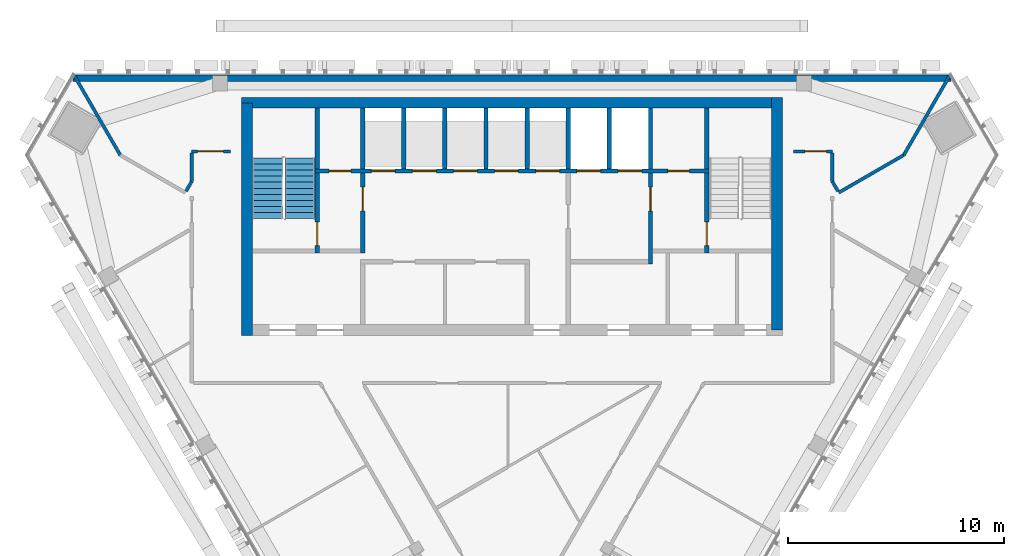
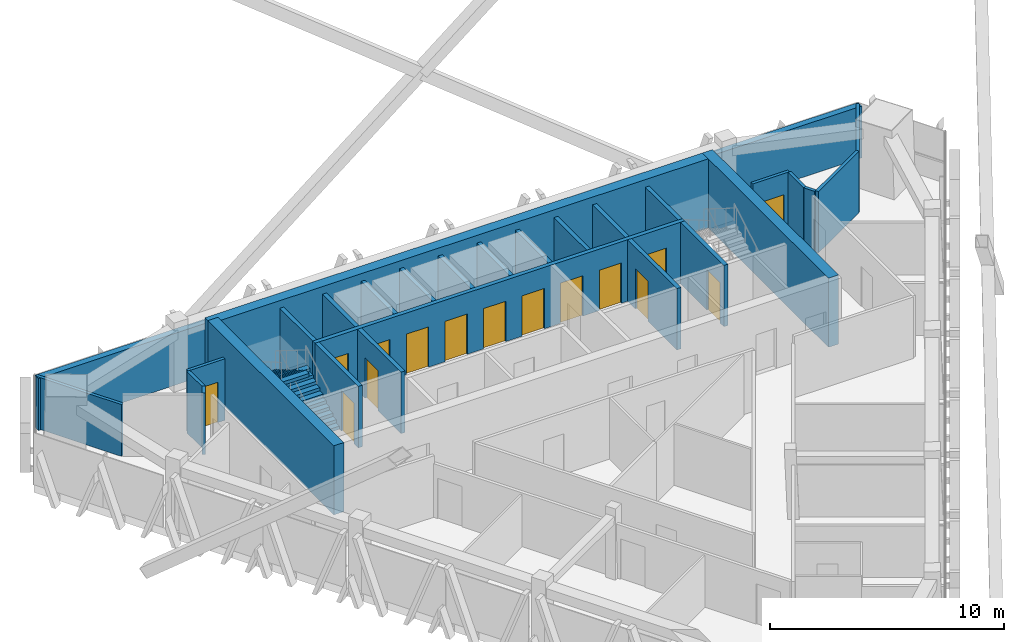
# One storey, part 9 of 12: 28 walls, 15 doors, 2 stair flights, 15 openings, 1 element without a shape of its own.
"""IFC4 building model written with IfcOpenShell, lengths in metres."""

import ifcopenshell
import ifcopenshell.guid

model = None  # the IFC model being written
_history = None  # IfcOwnerHistory: only IFC2X3 demands one
_inside = {}  # id of a spatial element -> (the spatial element, [elements in it])
_under = {}  # id of a project, library or spatial element -> (it, [spatial elements below it])
_declared = {}  # id of a project -> (the project, [libraries it declares])
_typed = {}  # id of a type object -> (the type object, [elements of that type])
_made_of = {}  # id of a material, layer set ... -> (it, [elements and type objects made of it])


def new_model(schema):
    """Start an empty IFC model of exactly this schema.

    Asked for "IFC4X3", IfcOpenShell would pick the latest addendum, in which some entities
    have other attributes; the version numbers below select the first issue.
    IFC2X3 requires an IfcOwnerHistory on every rooted entity: one is made here for all.
    """
    global model, _history
    if schema == "IFC4X3":
        model = ifcopenshell.file(schema_version=(4, 3, 0, 0))
    else:
        model = ifcopenshell.file(schema=schema)
    _inside.clear()
    _under.clear()
    _declared.clear()
    _typed.clear()
    _made_of.clear()
    _history = None
    if model.schema == "IFC2X3":
        org = make("IfcOrganization", Name="unknown")
        user = make(
            "IfcPersonAndOrganization",
            ThePerson=make("IfcPerson", FamilyName="unknown"),
            TheOrganization=org,
        )
        app = make(
            "IfcApplication",
            ApplicationDeveloper=org,
            Version="unknown",
            ApplicationFullName="unknown",
            ApplicationIdentifier="unknown",
        )
        _history = make(
            "IfcOwnerHistory",
            OwningUser=user,
            OwningApplication=app,
            ChangeAction="ADDED",
            CreationDate=0,
        )
    return model


def make(cls, **values):
    """One entity of the class cls with the attributes given. An attribute that is None is left unset."""
    return model.create_entity(
        cls, **{name: value for name, value in values.items() if value is not None}
    )


def rooted(cls, **values):
    """An entity with a GlobalId (a new one), such as an element, a storey or a relation."""
    return make(cls, GlobalId=ifcopenshell.guid.new(), OwnerHistory=_history, **values)


def si_unit(unit_type, name, prefix=None):
    """IfcSIUnit, for example si_unit("LENGTHUNIT", "METRE", prefix="MILLI")."""
    return make("IfcSIUnit", UnitType=unit_type, Prefix=prefix, Name=name)


def assignment(units):
    """IfcUnitAssignment: the units of a project."""
    return None if units is None else make("IfcUnitAssignment", Units=units)


def point(xyz):
    """IfcCartesianPoint."""
    return None if xyz is None else make("IfcCartesianPoint", Coordinates=xyz)


def direction(xyz):
    """IfcDirection."""
    return None if xyz is None else make("IfcDirection", DirectionRatios=xyz)


def frame(location, z_axis=None, x_axis=None):
    """IfcAxis2Placement3D, a coordinate frame: its origin and axes. An axis left out is left unset."""
    return make(
        "IfcAxis2Placement3D",
        Location=point(location),
        Axis=direction(z_axis),
        RefDirection=direction(x_axis),
    )


def frame_2d(location, x_axis=None):
    """IfcAxis2Placement2D, a coordinate frame in the plane: its origin and x axis."""
    return make(
        "IfcAxis2Placement2D", Location=point(location), RefDirection=direction(x_axis)
    )


def origin():
    """The frame at (0, 0, 0) with its axes left unset."""
    return frame((0.0, 0.0, 0.0))


def place(relative_to, where):
    """IfcLocalPlacement: puts the frame where relative to a parent placement (None: the world)."""
    return make(
        "IfcLocalPlacement", PlacementRelTo=relative_to, RelativePlacement=where
    )


def context(
    kind, dimensions, precision=None, world=None, true_north=None, identifier=None
):
    """IfcGeometricRepresentationContext, for example the 3D "Model" context."""
    return make(
        "IfcGeometricRepresentationContext",
        ContextIdentifier=identifier,
        ContextType=kind,
        CoordinateSpaceDimension=dimensions,
        Precision=precision,
        WorldCoordinateSystem=world,
        TrueNorth=true_north,
    )


def subcontext(parent, identifier, kind, view, scale=None):
    """IfcGeometricRepresentationSubContext, for example "Body" below "Model"."""
    return make(
        "IfcGeometricRepresentationSubContext",
        ContextIdentifier=identifier,
        ContextType=kind,
        ParentContext=parent,
        TargetScale=scale,
        TargetView=view,
    )


def project(units=None, contexts=None):
    """IfcProject with its units and contexts."""
    return rooted(
        "IfcProject",
        Name="project",
        RepresentationContexts=contexts,
        UnitsInContext=assignment(units),
    )


def spatial(cls, under=None, at=None, **own):
    """A site, building, storey or space (cls), placed at a placement, below another one or the project."""
    s = rooted(cls, ObjectPlacement=at, **own)
    if under is not None:
        _under.setdefault(under.id(), (under, []))[1].append(s)
    return s


def polyline(points):
    """IfcPolyline through the points."""
    return make("IfcPolyline", Points=[point(p) for p in points])


def profile(cls, at=None, kind="AREA", **sizes):
    """A parametric profile (cls). Its sizes go by their IFC names, for example OverallWidth=200.0."""
    return make(cls, ProfileType=kind, Position=at, **sizes)


def rectangle(**sizes):
    """IfcRectangleProfileDef."""
    return profile("IfcRectangleProfileDef", **sizes)


def outline(outer, holes=None, kind="AREA"):
    """IfcArbitraryClosedProfileDef: a profile drawn as a closed curve; with holes, ...WithVoids."""
    if holes is None:
        return make("IfcArbitraryClosedProfileDef", ProfileType=kind, OuterCurve=outer)
    return make(
        "IfcArbitraryProfileDefWithVoids",
        ProfileType=kind,
        OuterCurve=outer,
        InnerCurves=holes,
    )


def extrude(swept, where, along, depth):
    """IfcExtrudedAreaSolid: the profile swept, set in the frame where, extruded along a direction by depth."""
    return make(
        "IfcExtrudedAreaSolid",
        SweptArea=swept,
        Position=where,
        ExtrudedDirection=direction(along),
        Depth=depth,
    )


def shape(context_of_items, identifier, shape_type, items):
    """IfcShapeRepresentation: the items that make up one representation, for example the "Body"."""
    return make(
        "IfcShapeRepresentation",
        ContextOfItems=context_of_items,
        RepresentationIdentifier=identifier,
        RepresentationType=shape_type,
        Items=items,
    )


def material(Name=None, Category=None):
    """IfcMaterial."""
    return make("IfcMaterial", Name=Name, Category=Category)


def layer(
    of_material, thickness, ventilated=None, Name=None, Category=None, Priority=None
):
    """IfcMaterialLayer: one layer of a wall or slab, of a material (None: an air gap)."""
    return make(
        "IfcMaterialLayer",
        Material=of_material,
        LayerThickness=thickness,
        IsVentilated=ventilated,
        Name=Name,
        Category=Category,
        Priority=Priority,
    )


def layer_set(layers, Name=None):
    """IfcMaterialLayerSet."""
    return make("IfcMaterialLayerSet", MaterialLayers=layers, LayerSetName=Name)


def made_of(thing, what):
    """Note that an element or type object is made of a material, layer set ...; save() writes the relation."""
    if what is not None:
        _made_of.setdefault(what.id(), (what, []))[1].append(thing)
    return thing


def type_object(cls, material=None, **own):
    """A type object (cls), such as IfcWallType, which elements share."""
    return made_of(rooted(cls, **own), material)


def element(
    cls,
    number,
    at=None,
    inside=None,
    cuts=None,
    type_object=None,
    material=None,
    context=None,
    identifier="Body",
    shape_type=None,
    held_by="IfcProductDefinitionShape",
    body=None,
    shapes=None,
    **own,
):
    """One element of the class cls, such as IfcWall. Its Tag is "e" and its number.

    at: its placement. inside: the storey or other place that contains it. cuts: it is an
    opening in that element (IfcRelVoidsElement). A single representation is given by context,
    identifier, shape_type and body (its items); several are given by shapes. held_by: the class
    of the entity that holds the representations. save() writes the other relations.
    """
    e = rooted(cls, Tag="e%d" % number, ObjectPlacement=at, **own)
    if body is not None:
        shapes = [shape(context, identifier, shape_type, body)]
    if shapes is not None:
        e.Representation = make(held_by, Representations=shapes)
    if inside is not None:
        _inside.setdefault(inside.id(), (inside, []))[1].append(e)
    if cuts is not None:
        rooted(
            "IfcRelVoidsElement", RelatingBuildingElement=cuts, RelatedOpeningElement=e
        )
    if type_object is not None:
        _typed.setdefault(type_object.id(), (type_object, []))[1].append(e)
    return made_of(e, material)


def fill(opening, filler):
    """IfcRelFillsElement: the door or window that sits in an opening."""
    return rooted(
        "IfcRelFillsElement",
        RelatingOpeningElement=opening,
        RelatedBuildingElement=filler,
    )


def aggregate(whole, parts):
    """IfcRelAggregates: a whole, such as a stair, and the parts it consists of."""
    return rooted("IfcRelAggregates", RelatingObject=whole, RelatedObjects=parts)


def save(model, path):
    """Write the relations noted so far, then the file.

    IfcRelAggregates (storeys below a building ...), IfcRelContainedInSpatialStructure (elements
    in a storey), IfcRelDefinesByType, IfcRelAssociatesMaterial and IfcRelDeclares: one each for
    every whole, place, type object, material and project.
    """
    for whole, parts in _under.values():
        aggregate(whole, parts)
    for where, things in _inside.values():
        rooted(
            "IfcRelContainedInSpatialStructure",
            RelatedElements=things,
            RelatingStructure=where,
        )
    for kind, things in _typed.values():
        rooted("IfcRelDefinesByType", RelatedObjects=things, RelatingType=kind)
    for what, things in _made_of.values():
        rooted("IfcRelAssociatesMaterial", RelatedObjects=things, RelatingMaterial=what)
    for by, libraries in _declared.values():
        rooted("IfcRelDeclares", RelatingContext=by, RelatedDefinitions=libraries)
    model.write(path)


model = new_model("IFC4")

# Units and contexts
model_context = context("Model", 3, precision=1e-05, world=origin(), true_north=direction((0.0, 1.0)))
body_context = subcontext(model_context, "Body", "Model", "MODEL_VIEW")
ifc_project = project(units=[si_unit("LENGTHUNIT", "METRE"), si_unit("AREAUNIT", "SQUARE_METRE"), si_unit("VOLUMEUNIT", "CUBIC_METRE"), si_unit("PLANEANGLEUNIT", "RADIAN"), si_unit("MASSUNIT", "GRAM", prefix="KILO")], contexts=[model_context])

# Site, building, storey
site_placement = place(None, origin())
site = spatial("IfcSite", under=ifc_project, at=site_placement, CompositionType="ELEMENT")
building_placement = place(site_placement, origin())
building = spatial("IfcBuilding", under=site, at=building_placement, Name="Altiplano Prism Tower", CompositionType="ELEMENT")
storey_placement = place(building_placement, frame((0.0, 0.0, 291.39990234375)))
storey = spatial("IfcBuildingStorey", under=building, at=storey_placement, Name="L75", CompositionType="ELEMENT", Elevation=291.39990234375)

# Walls
ifc_material_1 = material(Name="Concrete C60/75", Category="concrete")
ifc_layer_1 = layer(ifc_material_1, 0.5)
ifc_layer_set_1 = layer_set([ifc_layer_1], Name="Concrete C60/75")
wall_type_1 = type_object("IfcWallType", Name="Core wall 500", PredefinedType="SHEAR", material=ifc_layer_set_1)
wall_1_placement = place(storey_placement, frame((97.25, 93.14990234375, 0.0), z_axis=(0.0, 0.0, 1.0), x_axis=(0.0, 1.0, 0.0)))
element("IfcWall", 1, at=wall_1_placement, inside=storey, type_object=wall_type_1, Name="Core wall E L75", PredefinedType="SHEAR", context=body_context, shape_type="SweptSolid", body=[
    extrude(rectangle(XDim=10.75, YDim=0.5, at=frame_2d((5.375, 0.0))), origin(), (0.0, 0.0, 1.0), 3.60009765625),
])
wall_2_placement = place(storey_placement, frame((97.25, 103.64990234375, 0.0), z_axis=(0.0, 0.0, 1.0), x_axis=(-1.0, 0.0, 0.0)))
element("IfcWall", 2, at=wall_2_placement, inside=storey, type_object=wall_type_1, Name="Core wall N L75", PredefinedType="SHEAR", context=body_context, shape_type="SweptSolid", body=[
    extrude(rectangle(XDim=24.75, YDim=0.5, at=frame_2d((12.375, 0.0))), origin(), (0.0, 0.0, 1.0), 3.60009765625),
])
wall_3_placement = place(storey_placement, frame((72.75, 103.64990234375, 0.0), z_axis=(0.0, 0.0, 1.0), x_axis=(0.0, -1.0, 0.0)))
element("IfcWall", 3, at=wall_3_placement, inside=storey, type_object=wall_type_1, Name="Core wall W L75", PredefinedType="SHEAR", context=body_context, shape_type="SweptSolid", body=[
    extrude(rectangle(XDim=10.75, YDim=0.5, at=frame_2d((5.375, 0.0))), origin(), (0.0, 0.0, 1.0), 3.60009765625),
])
ifc_material_2 = material(Name="Plasterboard on steel stud", Category="steel")
ifc_layer_2 = layer(ifc_material_2, 0.14990234375)
ifc_layer_set_2 = layer_set([ifc_layer_2], Name="Plasterboard on steel stud")
wall_type_2 = type_object("IfcWallType", Name="Partition 150 corridor", PredefinedType="PARTITIONING", material=ifc_layer_set_2)
wall_4_placement = place(storey_placement, frame((100.060546875, 99.5654296875, 0.0), z_axis=(0.0, 0.0, 1.0), x_axis=(-0.499830999225, 0.866122954443, 0.0)))
element("IfcWall", 4, at=wall_4_placement, inside=storey, type_object=wall_type_2, Name="Partition P06 L75 010", PredefinedType="PARTITIONING", context=body_context, shape_type="SweptSolid", body=[
    extrude(rectangle(XDim=0.519287109375, YDim=0.14990234375, at=frame_2d((0.259765625, 0.0))), origin(), (0.0, 0.0, 1.0), 3.2001953125),
])
wall_5_placement = place(storey_placement, frame((99.801025390625, 100.01513671875, 0.0), z_axis=(0.0, 0.0, 1.0), x_axis=(-0.000372578216, 0.999999930593, 0.0)))
element("IfcWall", 5, at=wall_5_placement, inside=storey, type_object=wall_type_2, Name="Partition P06 L75 011", PredefinedType="PARTITIONING", context=body_context, shape_type="SweptSolid", body=[
    extrude(rectangle(XDim=1.310546875, YDim=0.14990234375, at=frame_2d((0.6552734375, 0.0))), origin(), (0.0, 0.0, 1.0), 3.2001953125),
])

# Wall, opening, door
wall_6_placement = place(storey_placement, frame((99.800537109375, 101.40087890625, 0.0), z_axis=(0.0, 0.0, 1.0), x_axis=(-1.0, 0.0, 0.0)))
wall_6 = element("IfcWall", 6, at=wall_6_placement, inside=storey, type_object=wall_type_2, Name="Partition P06 L75 012", PredefinedType="PARTITIONING", context=body_context, shape_type="SweptSolid", body=[
    extrude(rectangle(XDim=1.800537109375, YDim=0.14990234375, at=frame_2d((0.900390625, 0.0))), origin(), (0.0, 0.0, 1.0), 3.2001953125),
])
opening_1_placement = place(wall_6_placement, frame((0.27099609375, 0.0, 0.0)))
opening_1 = element("IfcOpeningElement", 7, at=opening_1_placement, cuts=wall_6, Name="Opening D2322", PredefinedType="OPENING", context=body_context, shape_type="SweptSolid", body=[
    extrude(rectangle(XDim=1.0, YDim=2.10009765625, at=frame_2d((0.5, 1.050048828125))), frame((0.0, 0.08544921875, 0.0), z_axis=(0.0, -1.0, 0.0), x_axis=(1.0, 0.0, 0.0)), (0.0, 0.0, 1.0), 0.1708984375),
])
ifc_material_3 = material(Name="Timber", Category="wood")
door_type_1 = type_object("IfcDoorType", Name="Room door 1000 x 2100", OperationType="NOTDEFINED", PredefinedType="NOTDEFINED", material=ifc_material_3)
door_1_placement = place(opening_1_placement, origin())
door_1 = element("IfcDoor", 8, at=door_1_placement, inside=storey, type_object=door_type_1, Name="Door D2322", OperationType="SINGLE_SWING_LEFT", OverallHeight=2.10009765625, OverallWidth=1.0, PredefinedType="NOTDEFINED", context=body_context, shape_type="SweptSolid", body=[
    extrude(rectangle(XDim=1.0, YDim=2.10009765625, at=frame_2d((0.5, 1.050048828125))), frame((0.0, 0.02490234375, 0.0), z_axis=(0.0, -1.0, 0.0), x_axis=(1.0, 0.0, 0.0)), (0.0, 0.0, 1.0), 0.050048828125),
])
fill(opening_1, door_1)

wall_7_placement = place(storey_placement, frame((72.0, 101.40087890625, 0.0), z_axis=(0.0, 0.0, 1.0), x_axis=(-1.0, 0.0, 0.0)))
wall_7 = element("IfcWall", 9, at=wall_7_placement, inside=storey, type_object=wall_type_2, Name="Partition P06 L75 013", PredefinedType="PARTITIONING", context=body_context, shape_type="SweptSolid", body=[
    extrude(rectangle(XDim=1.800537109375, YDim=0.14990234375, at=frame_2d((0.900390625, 0.0))), origin(), (0.0, 0.0, 1.0), 3.2001953125),
])
opening_2_placement = place(wall_7_placement, frame((0.330078125, 0.0, 0.0)))
opening_2 = element("IfcOpeningElement", 10, at=opening_2_placement, cuts=wall_7, Name="Opening D2323", PredefinedType="OPENING", context=body_context, shape_type="SweptSolid", body=[
    extrude(rectangle(XDim=1.199951171875, YDim=2.10009765625, at=frame_2d((0.60009765625, 1.050048828125))), frame((0.0, 0.08544921875, 0.0), z_axis=(0.0, -1.0, 0.0), x_axis=(1.0, 0.0, 0.0)), (0.0, 0.0, 1.0), 0.1708984375),
])
door_type_2 = type_object("IfcDoorType", Name="Shared room door 1200 x 2100", OperationType="NOTDEFINED", PredefinedType="NOTDEFINED", material=ifc_material_3)
door_2_placement = place(opening_2_placement, origin())
door_2 = element("IfcDoor", 11, at=door_2_placement, inside=storey, type_object=door_type_2, Name="Door D2323", OperationType="SINGLE_SWING_LEFT", OverallHeight=2.10009765625, OverallWidth=1.199951171875, PredefinedType="NOTDEFINED", context=body_context, shape_type="SweptSolid", body=[
    extrude(rectangle(XDim=1.199951171875, YDim=2.10009765625, at=frame_2d((0.60009765625, 1.050048828125))), frame((0.0, 0.02490234375, 0.0), z_axis=(0.0, -1.0, 0.0), x_axis=(1.0, 0.0, 0.0)), (0.0, 0.0, 1.0), 0.050048828125),
])
fill(opening_2, door_2)

# Walls
wall_8_placement = place(storey_placement, frame((70.199462890625, 101.32568359375, 0.0), z_axis=(0.0, 0.0, 1.0), x_axis=(-0.000372578216, -0.999999930593, 0.0)))
element("IfcWall", 12, at=wall_8_placement, inside=storey, type_object=wall_type_2, Name="Partition P06 L75 014", PredefinedType="PARTITIONING", context=body_context, shape_type="SweptSolid", body=[
    extrude(rectangle(XDim=1.310546875, YDim=0.14990234375, at=frame_2d((0.6552734375, 0.0))), origin(), (0.0, 0.0, 1.0), 3.2001953125),
])
wall_9_placement = place(storey_placement, frame((70.198974609375, 100.01513671875, 0.0), z_axis=(0.0, 0.0, 1.0), x_axis=(-0.499830999225, -0.866122954443, 0.0)))
element("IfcWall", 13, at=wall_9_placement, inside=storey, type_object=wall_type_2, Name="Partition P06 L75 015", PredefinedType="PARTITIONING", context=body_context, shape_type="SweptSolid", body=[
    extrude(rectangle(XDim=0.519287109375, YDim=0.14990234375, at=frame_2d((0.259765625, 0.0))), origin(), (0.0, 0.0, 1.0), 3.2001953125),
])
ifc_layer_3 = layer(ifc_material_2, 0.14990234375)
ifc_layer_set_3 = layer_set([ifc_layer_3], Name="Plasterboard on steel stud")
wall_type_3 = type_object("IfcWallType", Name="Partition 150 party", PredefinedType="PARTITIONING", material=ifc_layer_set_3)
for number, where, z_axis, x_axis, name in (
    (14, (66.89697265625, 101.2353515625, 0.0), (0.0, 0.0, 1.0), (-0.499998808253, 0.866026091839, 0.0), "Partition P01 L75 022"),
    (15, (105.21875, 104.89990234375, 0.0), (0.0, 0.0, 1.0), (-0.499998808253, -0.866026091839, 0.0), "Partition P01 L75 035"),
):
    element("IfcWall", number, at=place(storey_placement, frame(where, z_axis=z_axis, x_axis=x_axis)), inside=storey, type_object=wall_type_3, Name=name, PredefinedType="PARTITIONING", context=body_context, shape_type="SweptSolid", body=[
        extrude(rectangle(XDim=4.2314453125, YDim=0.14990234375, at=frame_2d((2.11572265625, 0.0))), origin(), (0.0, 0.0, 1.0), 2.7001953125),
    ])
wall_10_placement = place(storey_placement, frame((103.10302734375, 101.2353515625, 0.0), z_axis=(0.0, 0.0, 1.0), x_axis=(-0.866026229868, -0.499998569178, 0.0)))
element("IfcWall", 16, at=wall_10_placement, inside=storey, type_object=wall_type_3, Name="Partition P01 L75 036", PredefinedType="PARTITIONING", context=body_context, shape_type="SweptSolid", body=[
    extrude(rectangle(XDim=3.4697265625, YDim=0.14990234375, at=frame_2d((1.73486328125, 0.0))), origin(), (0.0, 0.0, 1.0), 3.2001953125),
])
ifc_layer_4 = layer(ifc_material_1, 0.199951171875)
ifc_layer_set_4 = layer_set([ifc_layer_4], Name="Concrete C60/75")
wall_type_4 = type_object("IfcWallType", Name="Shaft wall 200", PredefinedType="SOLIDWALL", material=ifc_layer_set_4)
for number, where, z_axis, x_axis, name in (
    (17, (78.10009765625, 100.60009765625, 0.0), (0.0, 0.0, 1.0), (0.0, 1.0, 0.0), "Shaft wall L75"),
    (18, (80.0, 100.60009765625, 0.0), (0.0, 0.0, 1.0), (0.0, 1.0, 0.0), "Shaft wall L75"),
    (19, (81.89990234375, 100.60009765625, 0.0), (0.0, 0.0, 1.0), (0.0, 1.0, 0.0), "Shaft wall L75"),
    (20, (83.800048828125, 100.60009765625, 0.0), (0.0, 0.0, 1.0), (0.0, 1.0, 0.0), "Shaft wall L75"),
    (21, (85.699951171875, 100.60009765625, 0.0), (0.0, 0.0, 1.0), (0.0, 1.0, 0.0), "Shaft wall L75"),
    (22, (87.60009765625, 100.60009765625, 0.0), (0.0, 0.0, 1.0), (0.0, 1.0, 0.0), "Shaft wall L75"),
    (23, (89.5, 100.60009765625, 0.0), (0.0, 0.0, 1.0), (0.0, 1.0, 0.0), "Shaft wall L75"),
    (24, (91.39990234375, 100.60009765625, 0.0), (0.0, 0.0, 1.0), (0.0, 1.0, 0.0), "Shaft wall L75"),
):
    element("IfcWall", number, at=place(storey_placement, frame(where, z_axis=z_axis, x_axis=x_axis)), inside=storey, type_object=wall_type_4, Name=name, PredefinedType="SOLIDWALL", context=body_context, shape_type="SweptSolid", body=[
        extrude(rectangle(XDim=2.7998046875, YDim=0.199951171875, at=frame_2d((1.39990234375, 0.0))), origin(), (0.0, 0.0, 1.0), 3.2001953125),
    ])

# Wall, opening, door
ifc_layer_5 = layer(ifc_material_1, 0.199951171875)
ifc_layer_set_5 = layer_set([ifc_layer_5], Name="Concrete C60/75")
wall_type_5 = type_object("IfcWallType", Name="Stair wall 200", PredefinedType="SOLIDWALL", material=ifc_layer_set_5)
wall_11_placement = place(storey_placement, frame((76.0, 96.699951171875, 0.0), z_axis=(0.0, 0.0, 1.0), x_axis=(0.0, 1.0, 0.0)))
wall_11 = element("IfcWall", 25, at=wall_11_placement, inside=storey, type_object=wall_type_5, Name="Stair wall L75", PredefinedType="SOLIDWALL", context=body_context, shape_type="SweptSolid", body=[
    extrude(rectangle(XDim=3.699951171875, YDim=0.199951171875, at=frame_2d((1.85009765625, 0.0))), origin(), (0.0, 0.0, 1.0), 3.2001953125),
])
opening_3_placement = place(wall_11_placement, frame((0.35009765625, 0.0, 0.0)))
opening_3 = element("IfcOpeningElement", 26, at=opening_3_placement, cuts=wall_11, Name="Opening D3633", PredefinedType="OPENING", context=body_context, shape_type="SweptSolid", body=[
    extrude(rectangle(XDim=1.10009765625, YDim=2.10009765625, at=frame_2d((0.550048828125, 1.050048828125))), frame((0.0, 0.1103515625, 0.0), z_axis=(0.0, -1.0, 0.0), x_axis=(1.0, 0.0, 0.0)), (0.0, 0.0, 1.0), 0.220947265625),
])
ifc_material_4 = material(Name="Fire-rated steel door", Category="steel")
door_type_3 = type_object("IfcDoorType", Name="Stair fire door 1100 x 2100", OperationType="NOTDEFINED", PredefinedType="NOTDEFINED", material=ifc_material_4)
door_3_placement = place(opening_3_placement, origin())
door_3 = element("IfcDoor", 27, at=door_3_placement, inside=storey, type_object=door_type_3, Name="Stair fire door D3633", OperationType="SINGLE_SWING_RIGHT", OverallHeight=2.10009765625, OverallWidth=1.10009765625, PredefinedType="NOTDEFINED", context=body_context, shape_type="SweptSolid", body=[
    extrude(rectangle(XDim=1.10009765625, YDim=2.10009765625, at=frame_2d((0.550048828125, 1.050048828125))), frame((0.0, 0.02490234375, 0.0), z_axis=(0.0, -1.0, 0.0), x_axis=(1.0, 0.0, 0.0)), (0.0, 0.0, 1.0), 0.050048828125),
])
fill(opening_3, door_3)

wall_12_placement = place(storey_placement, frame((94.0, 96.699951171875, 0.0), z_axis=(0.0, 0.0, 1.0), x_axis=(0.0, 1.0, 0.0)))
wall_12 = element("IfcWall", 28, at=wall_12_placement, inside=storey, type_object=wall_type_5, Name="Stair wall L75", PredefinedType="SOLIDWALL", context=body_context, shape_type="SweptSolid", body=[
    extrude(rectangle(XDim=3.699951171875, YDim=0.199951171875, at=frame_2d((1.85009765625, 0.0))), origin(), (0.0, 0.0, 1.0), 3.2001953125),
])
opening_4_placement = place(wall_12_placement, frame((0.35009765625, 0.0, 0.0)))
opening_4 = element("IfcOpeningElement", 29, at=opening_4_placement, cuts=wall_12, Name="Opening D3634", PredefinedType="OPENING", context=body_context, shape_type="SweptSolid", body=[
    extrude(rectangle(XDim=1.10009765625, YDim=2.10009765625, at=frame_2d((0.550048828125, 1.050048828125))), frame((0.0, 0.1103515625, 0.0), z_axis=(0.0, -1.0, 0.0), x_axis=(1.0, 0.0, 0.0)), (0.0, 0.0, 1.0), 0.220947265625),
])
door_4_placement = place(opening_4_placement, origin())
door_4 = element("IfcDoor", 30, at=door_4_placement, inside=storey, type_object=door_type_3, Name="Stair fire door D3634", OperationType="SINGLE_SWING_LEFT", OverallHeight=2.10009765625, OverallWidth=1.10009765625, PredefinedType="NOTDEFINED", context=body_context, shape_type="SweptSolid", body=[
    extrude(rectangle(XDim=1.10009765625, YDim=2.10009765625, at=frame_2d((0.550048828125, 1.050048828125))), frame((0.0, 0.02490234375, 0.0), z_axis=(0.0, -1.0, 0.0), x_axis=(1.0, 0.0, 0.0)), (0.0, 0.0, 1.0), 0.050048828125),
])
fill(opening_4, door_4)

# Wall, openings, doors
wall_13_placement = place(storey_placement, frame((75.89990234375, 100.5, 0.0), z_axis=(0.0, 0.0, 1.0), x_axis=(1.0, 0.0, 0.0)))
wall_13 = element("IfcWall", 31, at=wall_13_placement, inside=storey, type_object=wall_type_5, Name="Stair wall L75", PredefinedType="SOLIDWALL", context=body_context, shape_type="SweptSolid", body=[
    extrude(rectangle(XDim=18.2001953125, YDim=0.199951171875, at=frame_2d((9.10009765625, 0.0))), origin(), (0.0, 0.0, 1.0), 3.2001953125),
])
opening_5_placement = place(wall_13_placement, frame((2.60009765625, 0.0, 0.0)))
opening_5 = element("IfcOpeningElement", 32, at=opening_5_placement, cuts=wall_13, Name="Opening LD-HL1-L75", PredefinedType="OPENING", context=body_context, shape_type="SweptSolid", body=[
    extrude(rectangle(XDim=1.10009765625, YDim=2.10009765625, at=frame_2d((0.550048828125, 1.050048828125))), frame((0.0, 0.1103515625, 0.0), z_axis=(0.0, -1.0, 0.0), x_axis=(1.0, 0.0, 0.0)), (0.0, 0.0, 1.0), 0.220947265625),
])
opening_6_placement = place(wall_13_placement, frame((4.5, 0.0, 0.0)))
opening_6 = element("IfcOpeningElement", 33, at=opening_6_placement, cuts=wall_13, Name="Opening LD-HL2-L75", PredefinedType="OPENING", context=body_context, shape_type="SweptSolid", body=[
    extrude(rectangle(XDim=1.10009765625, YDim=2.10009765625, at=frame_2d((0.550048828125, 1.050048828125))), frame((0.0, 0.1103515625, 0.0), z_axis=(0.0, -1.0, 0.0), x_axis=(1.0, 0.0, 0.0)), (0.0, 0.0, 1.0), 0.220947265625),
])
opening_7_placement = place(wall_13_placement, frame((6.39990234375, 0.0, 0.0)))
opening_7 = element("IfcOpeningElement", 34, at=opening_7_placement, cuts=wall_13, Name="Opening LD-HL3-L75", PredefinedType="OPENING", context=body_context, shape_type="SweptSolid", body=[
    extrude(rectangle(XDim=1.10009765625, YDim=2.10009765625, at=frame_2d((0.550048828125, 1.050048828125))), frame((0.0, 0.1103515625, 0.0), z_axis=(0.0, -1.0, 0.0), x_axis=(1.0, 0.0, 0.0)), (0.0, 0.0, 1.0), 0.220947265625),
])
opening_8_placement = place(wall_13_placement, frame((8.300048828125, 0.0, 0.0)))
opening_8 = element("IfcOpeningElement", 35, at=opening_8_placement, cuts=wall_13, Name="Opening LD-HL4-L75", PredefinedType="OPENING", context=body_context, shape_type="SweptSolid", body=[
    extrude(rectangle(XDim=1.10009765625, YDim=2.10009765625, at=frame_2d((0.550048828125, 1.050048828125))), frame((0.0, 0.1103515625, 0.0), z_axis=(0.0, -1.0, 0.0), x_axis=(1.0, 0.0, 0.0)), (0.0, 0.0, 1.0), 0.220947265625),
])
opening_9_placement = place(wall_13_placement, frame((10.199951171875, 0.0, 0.0)))
opening_9 = element("IfcOpeningElement", 36, at=opening_9_placement, cuts=wall_13, Name="Opening LD-HL5-L75", PredefinedType="OPENING", context=body_context, shape_type="SweptSolid", body=[
    extrude(rectangle(XDim=1.10009765625, YDim=2.10009765625, at=frame_2d((0.550048828125, 1.050048828125))), frame((0.0, 0.1103515625, 0.0), z_axis=(0.0, -1.0, 0.0), x_axis=(1.0, 0.0, 0.0)), (0.0, 0.0, 1.0), 0.220947265625),
])
opening_10_placement = place(wall_13_placement, frame((12.10009765625, 0.0, 0.0)))
opening_10 = element("IfcOpeningElement", 37, at=opening_10_placement, cuts=wall_13, Name="Opening LD-FF1-L75", PredefinedType="OPENING", context=body_context, shape_type="SweptSolid", body=[
    extrude(rectangle(XDim=1.10009765625, YDim=2.10009765625, at=frame_2d((0.550048828125, 1.050048828125))), frame((0.0, 0.1103515625, 0.0), z_axis=(0.0, -1.0, 0.0), x_axis=(1.0, 0.0, 0.0)), (0.0, 0.0, 1.0), 0.220947265625),
])
opening_11_placement = place(wall_13_placement, frame((14.0, 0.0, 0.0)))
opening_11 = element("IfcOpeningElement", 38, at=opening_11_placement, cuts=wall_13, Name="Opening LD-FF2-L75", PredefinedType="OPENING", context=body_context, shape_type="SweptSolid", body=[
    extrude(rectangle(XDim=1.10009765625, YDim=2.10009765625, at=frame_2d((0.550048828125, 1.050048828125))), frame((0.0, 0.1103515625, 0.0), z_axis=(0.0, -1.0, 0.0), x_axis=(1.0, 0.0, 0.0)), (0.0, 0.0, 1.0), 0.220947265625),
])
opening_12_placement = place(wall_13_placement, frame((0.64990234375, 0.0, 0.0)))
opening_12 = element("IfcOpeningElement", 39, at=opening_12_placement, cuts=wall_13, Name="Opening D3641", PredefinedType="OPENING", context=body_context, shape_type="SweptSolid", body=[
    extrude(rectangle(XDim=1.0, YDim=2.10009765625, at=frame_2d((0.5, 1.050048828125))), frame((0.0, 0.1103515625, 0.0), z_axis=(0.0, -1.0, 0.0), x_axis=(1.0, 0.0, 0.0)), (0.0, 0.0, 1.0), 0.220947265625),
])
opening_13_placement = place(wall_13_placement, frame((16.300048828125, 0.0, 0.0)))
opening_13 = element("IfcOpeningElement", 40, at=opening_13_placement, cuts=wall_13, Name="Opening D3642", PredefinedType="OPENING", context=body_context, shape_type="SweptSolid", body=[
    extrude(rectangle(XDim=1.0, YDim=2.10009765625, at=frame_2d((0.5, 1.050048828125))), frame((0.0, 0.1103515625, 0.0), z_axis=(0.0, -1.0, 0.0), x_axis=(1.0, 0.0, 0.0)), (0.0, 0.0, 1.0), 0.220947265625),
])
door_type_4 = type_object("IfcDoorType", Name="Core room door 1000 x 2100", OperationType="NOTDEFINED", PredefinedType="NOTDEFINED", material=ifc_material_4)
door_5_placement = place(opening_12_placement, origin())
door_5 = element("IfcDoor", 41, at=door_5_placement, inside=storey, type_object=door_type_4, Name="Core room door D3641", OperationType="SINGLE_SWING_LEFT", OverallHeight=2.10009765625, OverallWidth=1.0, PredefinedType="NOTDEFINED", context=body_context, shape_type="SweptSolid", body=[
    extrude(rectangle(XDim=1.0, YDim=2.10009765625, at=frame_2d((0.5, 1.050048828125))), frame((0.0, 0.02490234375, 0.0), z_axis=(0.0, -1.0, 0.0), x_axis=(1.0, 0.0, 0.0)), (0.0, 0.0, 1.0), 0.050048828125),
])
fill(opening_12, door_5)
door_6_placement = place(opening_13_placement, origin())
door_6 = element("IfcDoor", 42, at=door_6_placement, inside=storey, type_object=door_type_4, Name="Core room door D3642", OperationType="SINGLE_SWING_RIGHT", OverallHeight=2.10009765625, OverallWidth=1.0, PredefinedType="NOTDEFINED", context=body_context, shape_type="SweptSolid", body=[
    extrude(rectangle(XDim=1.0, YDim=2.10009765625, at=frame_2d((0.5, 1.050048828125))), frame((0.0, 0.02490234375, 0.0), z_axis=(0.0, -1.0, 0.0), x_axis=(1.0, 0.0, 0.0)), (0.0, 0.0, 1.0), 0.050048828125),
])
fill(opening_13, door_6)
ifc_material_5 = material(Name="Stainless steel landing door", Category="steel")
door_type_5 = type_object("IfcDoorType", Name="Landing door 1100 x 2100", OperationType="NOTDEFINED", PredefinedType="NOTDEFINED", material=ifc_material_5)
door_7_placement = place(opening_5_placement, origin())
door_7 = element("IfcDoor", 43, at=door_7_placement, inside=storey, type_object=door_type_5, Name="Landing doors HL1", OperationType="SLIDING_TO_RIGHT", OverallHeight=2.10009765625, OverallWidth=1.10009765625, PredefinedType="NOTDEFINED", context=body_context, shape_type="SweptSolid", body=[
    extrude(rectangle(XDim=1.10009765625, YDim=2.10009765625, at=frame_2d((0.550048828125, 1.050048828125))), frame((0.0, 0.02490234375, 0.0), z_axis=(0.0, -1.0, 0.0), x_axis=(1.0, 0.0, 0.0)), (0.0, 0.0, 1.0), 0.050048828125),
])
fill(opening_5, door_7)
door_8_placement = place(opening_6_placement, origin())
door_8 = element("IfcDoor", 44, at=door_8_placement, inside=storey, type_object=door_type_5, Name="Landing doors HL2", OperationType="SLIDING_TO_LEFT", OverallHeight=2.10009765625, OverallWidth=1.10009765625, PredefinedType="NOTDEFINED", context=body_context, shape_type="SweptSolid", body=[
    extrude(rectangle(XDim=1.10009765625, YDim=2.10009765625, at=frame_2d((0.550048828125, 1.050048828125))), frame((0.0, 0.02490234375, 0.0), z_axis=(0.0, -1.0, 0.0), x_axis=(1.0, 0.0, 0.0)), (0.0, 0.0, 1.0), 0.050048828125),
])
fill(opening_6, door_8)
door_9_placement = place(opening_7_placement, origin())
door_9 = element("IfcDoor", 45, at=door_9_placement, inside=storey, type_object=door_type_5, Name="Landing doors HL3", OperationType="SLIDING_TO_RIGHT", OverallHeight=2.10009765625, OverallWidth=1.10009765625, PredefinedType="NOTDEFINED", context=body_context, shape_type="SweptSolid", body=[
    extrude(rectangle(XDim=1.10009765625, YDim=2.10009765625, at=frame_2d((0.550048828125, 1.050048828125))), frame((0.0, 0.02490234375, 0.0), z_axis=(0.0, -1.0, 0.0), x_axis=(1.0, 0.0, 0.0)), (0.0, 0.0, 1.0), 0.050048828125),
])
fill(opening_7, door_9)
door_10_placement = place(opening_8_placement, origin())
door_10 = element("IfcDoor", 46, at=door_10_placement, inside=storey, type_object=door_type_5, Name="Landing doors HL4", OperationType="SLIDING_TO_LEFT", OverallHeight=2.10009765625, OverallWidth=1.10009765625, PredefinedType="NOTDEFINED", context=body_context, shape_type="SweptSolid", body=[
    extrude(rectangle(XDim=1.10009765625, YDim=2.10009765625, at=frame_2d((0.550048828125, 1.050048828125))), frame((0.0, 0.02490234375, 0.0), z_axis=(0.0, -1.0, 0.0), x_axis=(1.0, 0.0, 0.0)), (0.0, 0.0, 1.0), 0.050048828125),
])
fill(opening_8, door_10)
door_11_placement = place(opening_9_placement, origin())
door_11 = element("IfcDoor", 47, at=door_11_placement, inside=storey, type_object=door_type_5, Name="Landing doors HL5", OperationType="SLIDING_TO_RIGHT", OverallHeight=2.10009765625, OverallWidth=1.10009765625, PredefinedType="NOTDEFINED", context=body_context, shape_type="SweptSolid", body=[
    extrude(rectangle(XDim=1.10009765625, YDim=2.10009765625, at=frame_2d((0.550048828125, 1.050048828125))), frame((0.0, 0.02490234375, 0.0), z_axis=(0.0, -1.0, 0.0), x_axis=(1.0, 0.0, 0.0)), (0.0, 0.0, 1.0), 0.050048828125),
])
fill(opening_9, door_11)
door_12_placement = place(opening_10_placement, origin())
door_12 = element("IfcDoor", 48, at=door_12_placement, inside=storey, type_object=door_type_5, Name="Landing doors FF1", OperationType="SLIDING_TO_RIGHT", OverallHeight=2.10009765625, OverallWidth=1.10009765625, PredefinedType="NOTDEFINED", context=body_context, shape_type="SweptSolid", body=[
    extrude(rectangle(XDim=1.10009765625, YDim=2.10009765625, at=frame_2d((0.550048828125, 1.050048828125))), frame((0.0, 0.02490234375, 0.0), z_axis=(0.0, -1.0, 0.0), x_axis=(1.0, 0.0, 0.0)), (0.0, 0.0, 1.0), 0.050048828125),
])
fill(opening_10, door_12)
door_13_placement = place(opening_11_placement, origin())
door_13 = element("IfcDoor", 49, at=door_13_placement, inside=storey, type_object=door_type_5, Name="Landing doors FF2", OperationType="SLIDING_TO_LEFT", OverallHeight=2.10009765625, OverallWidth=1.10009765625, PredefinedType="NOTDEFINED", context=body_context, shape_type="SweptSolid", body=[
    extrude(rectangle(XDim=1.10009765625, YDim=2.10009765625, at=frame_2d((0.550048828125, 1.050048828125))), frame((0.0, 0.02490234375, 0.0), z_axis=(0.0, -1.0, 0.0), x_axis=(1.0, 0.0, 0.0)), (0.0, 0.0, 1.0), 0.050048828125),
])
fill(opening_11, door_13)

# Walls
for number, where, z_axis, x_axis, name in (
    (50, (76.0, 100.60009765625, 0.0), (0.0, 0.0, 1.0), (0.0, 1.0, 0.0), "Stair wall L75"),
    (51, (94.0, 100.60009765625, 0.0), (0.0, 0.0, 1.0), (0.0, 1.0, 0.0), "Stair wall L75"),
):
    element("IfcWall", number, at=place(storey_placement, frame(where, z_axis=z_axis, x_axis=x_axis)), inside=storey, type_object=wall_type_5, Name=name, PredefinedType="SOLIDWALL", context=body_context, shape_type="SweptSolid", body=[
        extrude(rectangle(XDim=2.7998046875, YDim=0.199951171875, at=frame_2d((1.39990234375, 0.0))), origin(), (0.0, 0.0, 1.0), 3.2001953125),
    ])
ifc_material_6 = material(Name="Concrete C40", Category="concrete")
ifc_layer_6 = layer(ifc_material_6, 0.300048828125)
ifc_layer_set_6 = layer_set([ifc_layer_6], Name="Concrete C40")
wall_type_6 = type_object("IfcWallType", Name="Stone-clad external wall 300", PredefinedType="SOLIDWALL", material=ifc_layer_set_6)
wall_14_placement = place(storey_placement, frame((64.723388671875, 104.7900390625, 0.0), z_axis=(0.0, 0.0, 1.0), x_axis=(1.0, 0.0, 0.0)))
element("IfcWall", 52, at=wall_14_placement, inside=storey, type_object=wall_type_6, Name="External wall north face L75", PredefinedType="SOLIDWALL", context=body_context, shape_type="SweptSolid", body=[
    extrude(rectangle(XDim=40.55322265625, YDim=0.300048828125, at=frame_2d((20.276611328125, 0.0))), origin(), (0.0, 0.0, 1.0), 2.7001953125),
])

# Wall, opening, door
ifc_layer_7 = layer(ifc_material_1, 0.199951171875)
ifc_layer_set_7 = layer_set([ifc_layer_7], Name="Concrete C60/75")
wall_type_7 = type_object("IfcWallType", Name="Vestibule wall 200", PredefinedType="PARTITIONING", material=ifc_layer_set_7)
wall_15_placement = place(storey_placement, frame((91.39990234375, 96.199951171875, 0.0), z_axis=(0.0, 0.0, 1.0), x_axis=(0.0, 1.0, 0.0)))
wall_15 = element("IfcWall", 53, at=wall_15_placement, inside=storey, type_object=wall_type_7, Name="Vestibule wall L75", PredefinedType="PARTITIONING", context=body_context, shape_type="SweptSolid", body=[
    extrude(rectangle(XDim=4.199951171875, YDim=0.199951171875, at=frame_2d((2.10009765625, 0.0))), origin(), (0.0, 0.0, 1.0), 3.2001953125),
])
opening_14_placement = place(wall_15_placement, frame((2.449951171875, 0.0, 0.0)))
opening_14 = element("IfcOpeningElement", 54, at=opening_14_placement, cuts=wall_15, Name="Opening D3637", PredefinedType="OPENING", context=body_context, shape_type="SweptSolid", body=[
    extrude(rectangle(XDim=1.10009765625, YDim=2.10009765625, at=frame_2d((0.550048828125, 1.050048828125))), frame((0.0, 0.1103515625, 0.0), z_axis=(0.0, -1.0, 0.0), x_axis=(1.0, 0.0, 0.0)), (0.0, 0.0, 1.0), 0.220947265625),
])
door_type_6 = type_object("IfcDoorType", Name="Vestibule fire door 1100 x 2100", OperationType="NOTDEFINED", PredefinedType="NOTDEFINED", material=ifc_material_4)
door_14_placement = place(opening_14_placement, origin())
door_14 = element("IfcDoor", 55, at=door_14_placement, inside=storey, type_object=door_type_6, Name="Vestibule fire door D3637", OperationType="SINGLE_SWING_LEFT", OverallHeight=2.10009765625, OverallWidth=1.10009765625, PredefinedType="NOTDEFINED", context=body_context, shape_type="SweptSolid", body=[
    extrude(rectangle(XDim=1.10009765625, YDim=2.10009765625, at=frame_2d((0.550048828125, 1.050048828125))), frame((0.0, 0.02490234375, 0.0), z_axis=(0.0, -1.0, 0.0), x_axis=(1.0, 0.0, 0.0)), (0.0, 0.0, 1.0), 0.050048828125),
])
fill(opening_14, door_14)

wall_16_placement = place(storey_placement, frame((78.10009765625, 96.699951171875, 0.0), z_axis=(0.0, 0.0, 1.0), x_axis=(0.0, 1.0, 0.0)))
wall_16 = element("IfcWall", 56, at=wall_16_placement, inside=storey, type_object=wall_type_7, Name="Vestibule wall L75", PredefinedType="PARTITIONING", context=body_context, shape_type="SweptSolid", body=[
    extrude(rectangle(XDim=3.699951171875, YDim=0.199951171875, at=frame_2d((1.85009765625, 0.0))), origin(), (0.0, 0.0, 1.0), 3.2001953125),
])
opening_15_placement = place(wall_16_placement, frame((1.949951171875, 0.0, 0.0)))
opening_15 = element("IfcOpeningElement", 57, at=opening_15_placement, cuts=wall_16, Name="Opening D3635", PredefinedType="OPENING", context=body_context, shape_type="SweptSolid", body=[
    extrude(rectangle(XDim=1.10009765625, YDim=2.10009765625, at=frame_2d((0.550048828125, 1.050048828125))), frame((0.0, 0.1103515625, 0.0), z_axis=(0.0, -1.0, 0.0), x_axis=(1.0, 0.0, 0.0)), (0.0, 0.0, 1.0), 0.220947265625),
])
door_15_placement = place(opening_15_placement, origin())
door_15 = element("IfcDoor", 58, at=door_15_placement, inside=storey, type_object=door_type_6, Name="Vestibule fire door D3635", OperationType="SINGLE_SWING_LEFT", OverallHeight=2.10009765625, OverallWidth=1.10009765625, PredefinedType="NOTDEFINED", context=body_context, shape_type="SweptSolid", body=[
    extrude(rectangle(XDim=1.10009765625, YDim=2.10009765625, at=frame_2d((0.550048828125, 1.050048828125))), frame((0.0, 0.02490234375, 0.0), z_axis=(0.0, -1.0, 0.0), x_axis=(1.0, 0.0, 0.0)), (0.0, 0.0, 1.0), 0.050048828125),
])
fill(opening_15, door_15)

# Stair, stair flights
ifc_material_7 = material(Name="Concrete C40/50", Category="concrete")
stair_type = type_object("IfcStairType", Name="Exit stair 1400", PredefinedType="HALF_TURN_STAIR", material=ifc_material_7)
stair_placement = place(storey_placement, origin())
stair = element("IfcStair", 59, at=stair_placement, inside=storey, type_object=stair_type, Name="L75 Exit Stair 1", PredefinedType="HALF_TURN_STAIR")
stair_flight_type = type_object("IfcStairFlightType", Name="Stair flight concrete 150", PredefinedType="STRAIGHT", material=ifc_material_7)
stair_flight_1_placement = place(storey_placement, frame((75.199951171875, 98.300048828125, 0.0), z_axis=(0.0, 0.0, 1.0), x_axis=(0.0, 1.0, 0.0)))
stair_flight_1 = element("IfcStairFlight", 60, at=stair_flight_1_placement, type_object=stair_flight_type, Name="ST1 flight 1", NumberOfRisers=11, NumberOfTreads=10, PredefinedType="STRAIGHT", RiserHeight=0.163636364, TreadLength=0.28, context=body_context, shape_type="SweptSolid", body=[
    extrude(outline(polyline([(0.0, 0.0), (0.0, 0.16357421875), (0.280029296875, 0.16357421875), (0.280029296875, 0.327392578125), (0.56005859375, 0.327392578125), (0.56005859375, 0.490966796875), (0.840087890625, 0.490966796875), (0.840087890625, 0.654541015625), (1.1201171875, 0.654541015625), (1.1201171875, 0.818115234375), (1.39990234375, 0.818115234375), (1.39990234375, 0.98193359375), (1.679931640625, 0.98193359375), (1.679931640625, 1.1455078125), (1.9599609375, 1.1455078125), (1.9599609375, 1.30908203125), (2.239990234375, 1.30908203125), (2.239990234375, 1.47265625), (2.52001953125, 1.47265625), (2.52001953125, 1.636474609375), (2.800048828125, 1.636474609375), (2.800048828125, 1.800048828125), (2.800048828125, 1.462646484375), (0.297119140625, 0.0), (0.0, 0.0)])), frame((0.0, 0.699951171875, 0.0), z_axis=(0.0, -1.0, 0.0), x_axis=(1.0, 0.0, 0.0)), (0.0, 0.0, 1.0), 1.39990234375),
])
stair_flight_2_placement = place(storey_placement, frame((73.699951171875, 101.10009765625, 1.800048828125), z_axis=(0.0, 0.0, 1.0), x_axis=(0.0, -1.0, 0.0)))
stair_flight_2 = element("IfcStairFlight", 61, at=stair_flight_2_placement, type_object=stair_flight_type, Name="ST1 flight 2", NumberOfRisers=11, NumberOfTreads=10, PredefinedType="STRAIGHT", RiserHeight=0.163636364, TreadLength=0.28, context=body_context, shape_type="SweptSolid", body=[
    extrude(outline(polyline([(0.0, 0.0), (0.0, 0.16357421875), (0.280029296875, 0.16357421875), (0.280029296875, 0.327392578125), (0.56005859375, 0.327392578125), (0.56005859375, 0.490966796875), (0.840087890625, 0.490966796875), (0.840087890625, 0.654541015625), (1.1201171875, 0.654541015625), (1.1201171875, 0.818115234375), (1.39990234375, 0.818115234375), (1.39990234375, 0.98193359375), (1.679931640625, 0.98193359375), (1.679931640625, 1.1455078125), (1.9599609375, 1.1455078125), (1.9599609375, 1.30908203125), (2.239990234375, 1.30908203125), (2.239990234375, 1.47265625), (2.52001953125, 1.47265625), (2.52001953125, 1.636474609375), (2.800048828125, 1.636474609375), (2.800048828125, 1.800048828125), (2.800048828125, 1.462646484375), (0.297119140625, 0.0), (0.0, 0.0)])), frame((0.0, 0.699951171875, 0.0), z_axis=(0.0, -1.0, 0.0), x_axis=(1.0, 0.0, 0.0)), (0.0, 0.0, 1.0), 1.39990234375),
])
aggregate(stair, [stair_flight_1, stair_flight_2])

save(model, "model.ifc")
